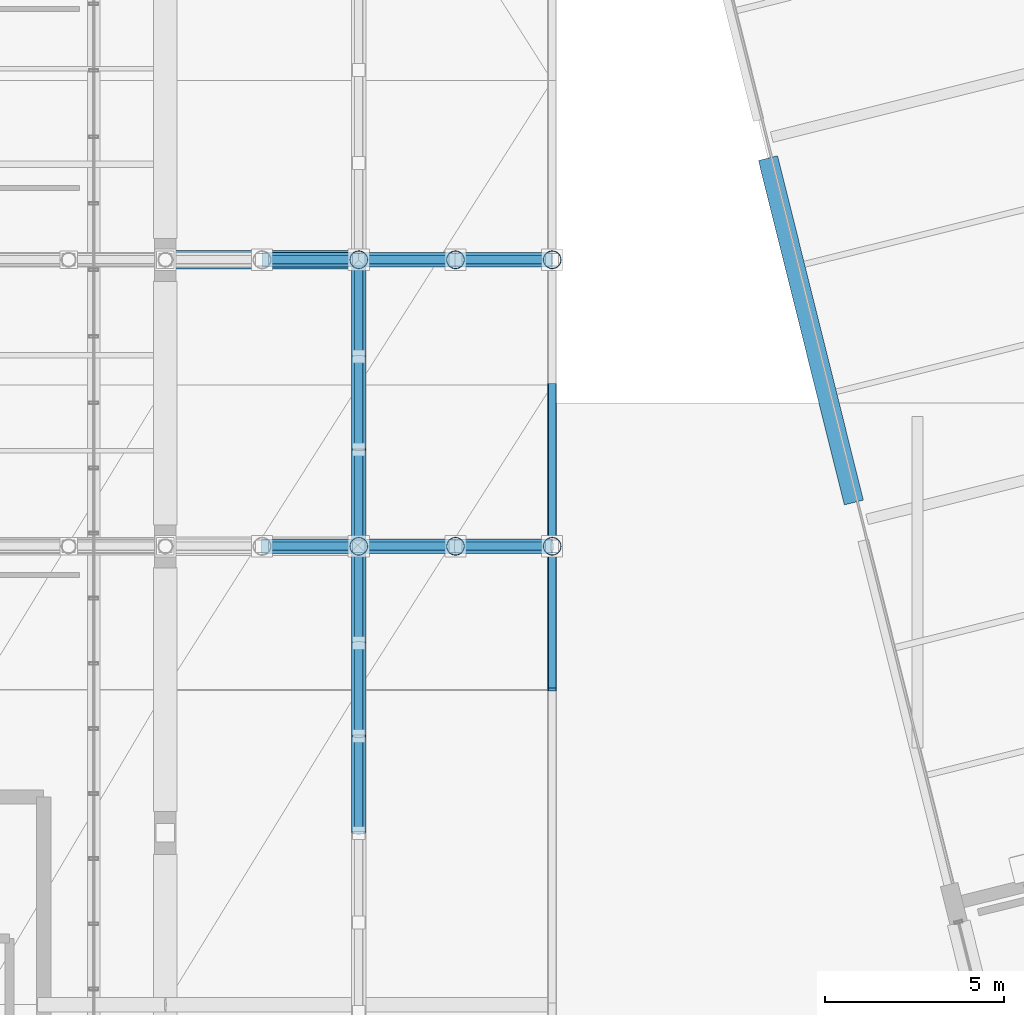
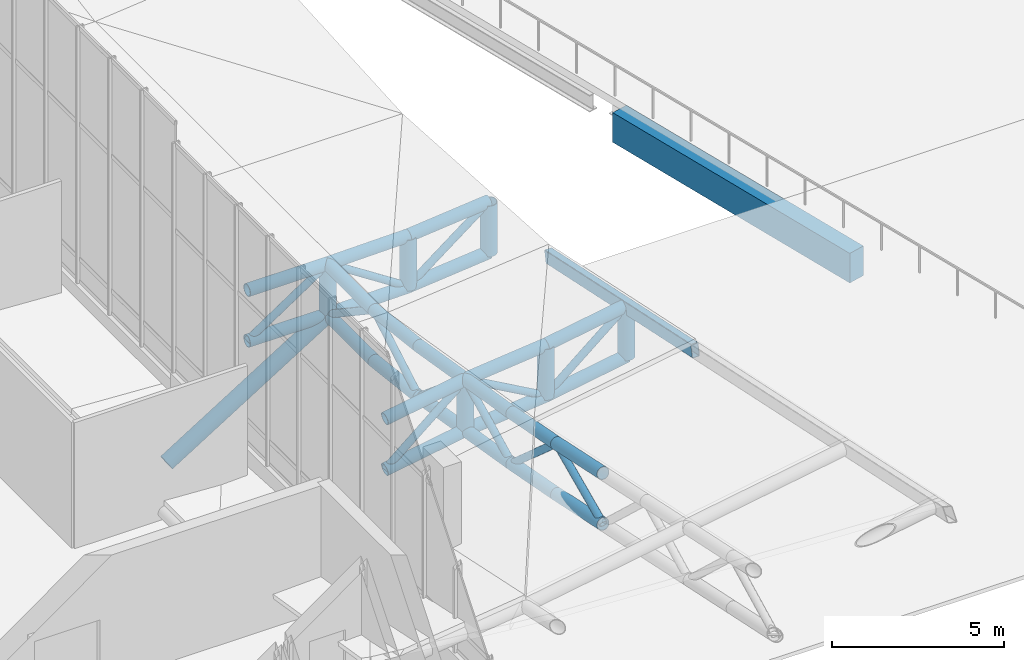
# One storey, part 67 of 137: 43 members, 2 beams.
"""IFC4 building model written with IfcOpenShell, lengths in metres."""

from ifc_helpers import new_model, si_unit, direction, frame, origin, origin_2d, place, context, subcontext, project, spatial, rectangle, hollow_rectangle, hollow_circle, extrude, material, material_profile, profile_set, type_object, element, save


model = new_model("IFC4")

# Units and contexts
model_context = context("Model", 3, precision=1e-05, world=origin(), true_north=direction((0.0, 1.0)))
body_context = subcontext(model_context, "Body", "Model", "MODEL_VIEW")
ifc_project = project(units=[si_unit("LENGTHUNIT", "METRE"), si_unit("AREAUNIT", "SQUARE_METRE"), si_unit("VOLUMEUNIT", "CUBIC_METRE"), si_unit("PLANEANGLEUNIT", "RADIAN"), si_unit("MASSUNIT", "GRAM", prefix="KILO")], contexts=[model_context])

# Site, building, storey
site_placement = place(None, origin())
site = spatial("IfcSite", under=ifc_project, at=site_placement, CompositionType="ELEMENT")
building_placement = place(site_placement, origin())
building = spatial("IfcBuilding", under=site, at=building_placement, Name="Khorjan Park Terminus", CompositionType="ELEMENT")
storey_placement = place(building_placement, frame((0.0, 0.0, 11.4)))
storey = spatial("IfcBuildingStorey", under=building, at=storey_placement, Name="L02", CompositionType="ELEMENT", Elevation=11.4)

# Beam
ifc_material_1 = material(Name="Concrete C40/50", Category="concrete")
ifc_material_profile_1 = material_profile(ifc_material_1, rectangle(XDim=0.55, YDim=1.05, at=origin_2d()), Name="RC 550x1050")
ifc_profile_set_1 = profile_set([ifc_material_profile_1], Name="Concrete C40/50")
beam_type_1 = type_object("IfcBeamType", Name="BM-RC550x1050", PredefinedType="BEAM", material=ifc_profile_set_1)
beam_1_placement = place(storey_placement, frame((155.2236, 45.2218, -0.795), z_axis=(-0.241925384349, 0.970294856426, 0.0), x_axis=(-0.970294856426, -0.241925384349, 0.0)))
element("IfcBeam", 1, at=beam_1_placement, inside=storey, type_object=beam_type_1, Name="Primary skew-grid floor girder GB-105 (L02)", PredefinedType="BEAM", context=body_context, shape_type="SweptSolid", body=[
    extrude(rectangle(XDim=0.55, YDim=1.05, at=origin_2d()), origin(), (0.0, 0.0, 1.0), 9.9101),
])

# Members
ifc_material_2 = material(Name="Steel S355", Category="steel")
ifc_material_profile_2 = material_profile(ifc_material_2, hollow_circle(Radius=0.1222, WallThickness=0.0125, at=origin_2d()), Name="CHS 244.5x12.5")
ifc_profile_set_2 = profile_set([ifc_material_profile_2], Name="Steel S355")
member_type_1 = type_object("IfcMemberType", Name="MB-BRE-245", PredefinedType="BRACE", material=ifc_profile_set_2)
member_1_placement = place(storey_placement, frame((138.7, 44.0, -1.5347), z_axis=(0.767102290967, 0.0, 0.641524804816), x_axis=(0.0, 1.0, 0.0)))
element("IfcMember", 2, at=member_1_placement, inside=storey, type_object=member_type_1, Name="Lower shell W/E truss diagonal (E1)", PredefinedType="BRACE", context=body_context, shape_type="SweptSolid", body=[
    extrude(hollow_circle(Radius=0.1222, WallThickness=0.0125, at=origin_2d()), origin(), (0.0, 0.0, 1.0), 3.5197),
])
member_2_placement = place(storey_placement, frame((141.4, 44.0, 0.7233), z_axis=(0.870947672759, 0.0, -0.491375774042), x_axis=(0.0, 1.0, 0.0)))
element("IfcMember", 3, at=member_2_placement, inside=storey, type_object=member_type_1, Name="Lower shell W/E truss diagonal (E1)", PredefinedType="BRACE", context=body_context, shape_type="SweptSolid", body=[
    extrude(hollow_circle(Radius=0.1222, WallThickness=0.0125, at=origin_2d()), origin(), (0.0, 0.0, 1.0), 3.1001),
])
member_3_placement = place(storey_placement, frame((144.1, 44.0, -0.8), z_axis=(0.767102290967, 0.0, 0.641524804816), x_axis=(0.0, 1.0, 0.0)))
element("IfcMember", 4, at=member_3_placement, inside=storey, type_object=member_type_1, Name="Lower shell W/E truss diagonal (E1)", PredefinedType="BRACE", context=body_context, shape_type="SweptSolid", body=[
    extrude(hollow_circle(Radius=0.1222, WallThickness=0.0125, at=origin_2d()), origin(), (0.0, 0.0, 1.0), 3.5197),
])
member_4_placement = place(storey_placement, frame((138.7, 52.0, -1.828), z_axis=(0.832050294338, 0.0, 0.554700196225), x_axis=(0.0, 1.0, 0.0)))
element("IfcMember", 5, at=member_4_placement, inside=storey, type_object=member_type_1, Name="Lower shell W/E truss diagonal (E2)", PredefinedType="BRACE", context=body_context, shape_type="SweptSolid", body=[
    extrude(hollow_circle(Radius=0.1222, WallThickness=0.0125, at=origin_2d()), origin(), (0.0, 0.0, 1.0), 3.245),
])
member_5_placement = place(storey_placement, frame((141.4, 52.0, -0.028), z_axis=(0.838699015372, 0.0, -0.544595227315), x_axis=(0.0, 1.0, 0.0)))
element("IfcMember", 6, at=member_5_placement, inside=storey, type_object=member_type_1, Name="Lower shell W/E truss diagonal (E2)", PredefinedType="BRACE", context=body_context, shape_type="SweptSolid", body=[
    extrude(hollow_circle(Radius=0.1222, WallThickness=0.0125, at=origin_2d()), origin(), (0.0, 0.0, 1.0), 3.2193),
])
member_6_placement = place(storey_placement, frame((144.1, 52.0, -1.7812), z_axis=(0.79425929481, 0.0, 0.607578943519), x_axis=(0.0, 1.0, 0.0)))
element("IfcMember", 7, at=member_6_placement, inside=storey, type_object=member_type_1, Name="Lower shell W/E truss diagonal (E2)", PredefinedType="BRACE", context=body_context, shape_type="SweptSolid", body=[
    extrude(hollow_circle(Radius=0.1222, WallThickness=0.0125, at=origin_2d()), origin(), (0.0, 0.0, 1.0), 3.3994),
])
member_7_placement = place(storey_placement, frame((141.4, 36.0, 0.4403), z_axis=(0.0, 0.910426516303, 0.413670833408), x_axis=(-1.0, 0.0, 0.0)))
element("IfcMember", 8, at=member_7_placement, inside=storey, type_object=member_type_1, Name="Lower shell mid-ring diagonal (E9)", PredefinedType="BRACE", context=body_context, shape_type="SweptSolid", body=[
    extrude(hollow_circle(Radius=0.1222, WallThickness=0.0125, at=origin_2d()), origin(), (0.0, 0.0, 1.0), 2.9656),
])
member_8_placement = place(storey_placement, frame((141.4, 38.7, 1.6671), z_axis=(0.0, 0.749997777608, -0.661440347713), x_axis=(-1.0, 0.0, 0.0)))
element("IfcMember", 9, at=member_8_placement, inside=storey, type_object=member_type_1, Name="Lower shell mid-ring diagonal (E10)", PredefinedType="BRACE", context=body_context, shape_type="SweptSolid", body=[
    extrude(hollow_circle(Radius=0.1222, WallThickness=0.0125, at=origin_2d()), origin(), (0.0, 0.0, 1.0), 3.4667),
])
member_9_placement = place(storey_placement, frame((141.4, 41.3, -0.6259), z_axis=(0.0, 0.894533184614, 0.447001545438), x_axis=(-1.0, 0.0, 0.0)))
element("IfcMember", 10, at=member_9_placement, inside=storey, type_object=member_type_1, Name="Lower shell mid-ring diagonal (E11)", PredefinedType="BRACE", context=body_context, shape_type="SweptSolid", body=[
    extrude(hollow_circle(Radius=0.1222, WallThickness=0.0125, at=origin_2d()), origin(), (0.0, 0.0, 1.0), 3.0183),
])
member_10_placement = place(storey_placement, frame((141.4, 44.0, 0.7233), z_axis=(0.0, 0.768109339355, -0.640318704081), x_axis=(-1.0, 0.0, 0.0)))
element("IfcMember", 11, at=member_10_placement, inside=storey, type_object=member_type_1, Name="Lower shell mid-ring diagonal (E12)", PredefinedType="BRACE", context=body_context, shape_type="SweptSolid", body=[
    extrude(hollow_circle(Radius=0.1222, WallThickness=0.0125, at=origin_2d()), origin(), (0.0, 0.0, 1.0), 3.5151),
])
member_11_placement = place(storey_placement, frame((141.4, 46.7, -1.5275), z_axis=(0.0, 0.866257685051, 0.499597461052), x_axis=(-1.0, 0.0, 0.0)))
element("IfcMember", 12, at=member_11_placement, inside=storey, type_object=member_type_1, Name="Lower shell mid-ring diagonal (E13)", PredefinedType="BRACE", context=body_context, shape_type="SweptSolid", body=[
    extrude(hollow_circle(Radius=0.1222, WallThickness=0.0125, at=origin_2d()), origin(), (0.0, 0.0, 1.0), 3.0014),
])
member_12_placement = place(storey_placement, frame((141.4, 49.3, -0.028), z_axis=(0.0, 0.832050294338, -0.554700196225), x_axis=(-1.0, 0.0, 0.0)))
element("IfcMember", 13, at=member_12_placement, inside=storey, type_object=member_type_1, Name="Lower shell mid-ring diagonal (E14)", PredefinedType="BRACE", context=body_context, shape_type="SweptSolid", body=[
    extrude(hollow_circle(Radius=0.1222, WallThickness=0.0125, at=origin_2d()), origin(), (0.0, 0.0, 1.0), 3.245),
])
ifc_material_profile_3 = material_profile(ifc_material_2, hollow_circle(Radius=0.2032, WallThickness=0.016, at=origin_2d()), Name="CHS 406.4x16")
ifc_profile_set_3 = profile_set([ifc_material_profile_3], Name="Steel S355")
member_type_2 = type_object("IfcMemberType", Name="MB-CHE-406", PredefinedType="CHORD", material=ifc_profile_set_3)
for number, where, z_axis, x_axis, name in (
    (14, (138.7, 44.0, 0.2653), (0.985916115378, 0.0, 0.167240585497), (0.0, 1.0, 0.0), "Lower shell W/E truss top chord (E1)"),
    (15, (138.7, 44.0, -1.5347), (0.985916115378, 0.0, 0.167240585497), (0.0, 1.0, 0.0), "Lower shell W/E truss bottom chord (E1)"),
):
    element("IfcMember", number, at=place(storey_placement, frame(where, z_axis=z_axis, x_axis=x_axis)), inside=storey, type_object=member_type_2, Name=name, PredefinedType="CHORD", context=body_context, shape_type="SweptSolid", body=[
        extrude(hollow_circle(Radius=0.2032, WallThickness=0.016, at=origin_2d()), origin(), (0.0, 0.0, 1.0), 2.7386),
    ])
for number, where, z_axis, x_axis, name in (
    (16, (141.4, 44.0, 0.7233), (0.994789777339, 0.0, 0.101947530144), (0.0, 1.0, 0.0), "Lower shell W/E truss top chord (E1)"),
    (17, (141.4, 44.0, -1.0767), (0.994789777339, 0.0, 0.101947530144), (0.0, 1.0, 0.0), "Lower shell W/E truss bottom chord (E1)"),
):
    element("IfcMember", number, at=place(storey_placement, frame(where, z_axis=z_axis, x_axis=x_axis)), inside=storey, type_object=member_type_2, Name=name, PredefinedType="CHORD", context=body_context, shape_type="SweptSolid", body=[
        extrude(hollow_circle(Radius=0.2032, WallThickness=0.016, at=origin_2d()), origin(), (0.0, 0.0, 1.0), 2.7141),
    ])
for number, where, z_axis, x_axis, name in (
    (18, (144.1, 44.0, 1.0), (0.985916115378, 0.0, 0.167240585497), (0.0, 1.0, 0.0), "Lower shell W/E truss top chord (E1)"),
    (19, (144.1, 44.0, -0.8), (0.985916115378, 0.0, 0.167240585497), (0.0, 1.0, 0.0), "Lower shell W/E truss bottom chord (E1)"),
):
    element("IfcMember", number, at=place(storey_placement, frame(where, z_axis=z_axis, x_axis=x_axis)), inside=storey, type_object=member_type_2, Name=name, PredefinedType="CHORD", context=body_context, shape_type="SweptSolid", body=[
        extrude(hollow_circle(Radius=0.2032, WallThickness=0.016, at=origin_2d()), origin(), (0.0, 0.0, 1.0), 2.7386),
    ])
for number, where, z_axis, x_axis, name in (
    (20, (138.7, 52.0, -0.028), (1.0, 0.0, 0.0), (0.0, 1.0, 0.0), "Lower shell W/E truss top chord (E2)"),
    (21, (138.7, 52.0, -1.828), (1.0, 0.0, 0.0), (0.0, 1.0, 0.0), "Lower shell W/E truss bottom chord (E2)"),
):
    element("IfcMember", number, at=place(storey_placement, frame(where, z_axis=z_axis, x_axis=x_axis)), inside=storey, type_object=member_type_2, Name=name, PredefinedType="CHORD", context=body_context, shape_type="SweptSolid", body=[
        extrude(hollow_circle(Radius=0.2032, WallThickness=0.016, at=origin_2d()), origin(), (0.0, 0.0, 1.0), 2.7),
    ])
for number, where, z_axis, x_axis, name in (
    (22, (141.4, 52.0, -0.028), (0.999849811619, 0.0, 0.017330730068), (0.0, 1.0, 0.0), "Lower shell W/E truss top chord (E2)"),
    (23, (141.4, 52.0, -1.828), (0.999849811619, 0.0, 0.017330730068), (0.0, 1.0, 0.0), "Lower shell W/E truss bottom chord (E2)"),
):
    element("IfcMember", number, at=place(storey_placement, frame(where, z_axis=z_axis, x_axis=x_axis)), inside=storey, type_object=member_type_2, Name=name, PredefinedType="CHORD", context=body_context, shape_type="SweptSolid", body=[
        extrude(hollow_circle(Radius=0.2032, WallThickness=0.016, at=origin_2d()), origin(), (0.0, 0.0, 1.0), 2.7004),
    ])
for number, where, z_axis, x_axis, name in (
    (24, (144.1, 52.0, 0.0188), (0.995203648559, 0.0, 0.097824832714), (0.0, 1.0, 0.0), "Lower shell W/E truss top chord (E2)"),
    (25, (144.1, 52.0, -1.7812), (0.995203648559, 0.0, 0.097824832714), (0.0, 1.0, 0.0), "Lower shell W/E truss bottom chord (E2)"),
):
    element("IfcMember", number, at=place(storey_placement, frame(where, z_axis=z_axis, x_axis=x_axis)), inside=storey, type_object=member_type_2, Name=name, PredefinedType="CHORD", context=body_context, shape_type="SweptSolid", body=[
        extrude(hollow_circle(Radius=0.2032, WallThickness=0.016, at=origin_2d()), origin(), (0.0, 0.0, 1.0), 2.713),
    ])
for number, where, z_axis, x_axis, name in (
    (26, (141.4, 36.0, 2.2403), (0.0, 0.978199346233, -0.207668098245), (-1.0, 0.0, 0.0), "Lower shell mid-ring top chord (E9)"),
    (27, (141.4, 36.0, 0.4403), (0.0, 0.978199346233, -0.207668098245), (-1.0, 0.0, 0.0), "Lower shell mid-ring bottom chord (E9)"),
):
    element("IfcMember", number, at=place(storey_placement, frame(where, z_axis=z_axis, x_axis=x_axis)), inside=storey, type_object=member_type_2, Name=name, PredefinedType="CHORD", context=body_context, shape_type="SweptSolid", body=[
        extrude(hollow_circle(Radius=0.2032, WallThickness=0.016, at=origin_2d()), origin(), (0.0, 0.0, 1.0), 2.7602),
    ])
for number, where, z_axis, x_axis, name in (
    (28, (141.4, 38.7, 1.6671), (0.0, 0.982493680031, -0.186295917021), (-1.0, 0.0, 0.0), "Lower shell mid-ring top chord (E10)"),
    (29, (141.4, 38.7, -0.1329), (0.0, 0.982493680031, -0.186295917021), (-1.0, 0.0, 0.0), "Lower shell mid-ring bottom chord (E10)"),
):
    element("IfcMember", number, at=place(storey_placement, frame(where, z_axis=z_axis, x_axis=x_axis)), inside=storey, type_object=member_type_2, Name=name, PredefinedType="CHORD", context=body_context, shape_type="SweptSolid", body=[
        extrude(hollow_circle(Radius=0.2032, WallThickness=0.016, at=origin_2d()), origin(), (0.0, 0.0, 1.0), 2.6463),
    ])
for number, where, z_axis, x_axis, name in (
    (30, (141.4, 41.3, 1.1741), (0.0, 0.986346490823, -0.164683332616), (-1.0, 0.0, 0.0), "Lower shell mid-ring top chord (E11)"),
    (31, (141.4, 41.3, -0.6259), (0.0, 0.986346490823, -0.164683332616), (-1.0, 0.0, 0.0), "Lower shell mid-ring bottom chord (E11)"),
    (32, (141.4, 44.0, 0.7233), (0.0, 0.986346490823, -0.164683332616), (-1.0, 0.0, 0.0), "Lower shell mid-ring top chord (E12)"),
    (33, (141.4, 44.0, -1.0767), (0.0, 0.986346490823, -0.164683332616), (-1.0, 0.0, 0.0), "Lower shell mid-ring bottom chord (E12)"),
):
    element("IfcMember", number, at=place(storey_placement, frame(where, z_axis=z_axis, x_axis=x_axis)), inside=storey, type_object=member_type_2, Name=name, PredefinedType="CHORD", context=body_context, shape_type="SweptSolid", body=[
        extrude(hollow_circle(Radius=0.2032, WallThickness=0.016, at=origin_2d()), origin(), (0.0, 0.0, 1.0), 2.7374),
    ])
for number, where, z_axis, x_axis, name in (
    (34, (141.4, 46.7, 0.2725), (0.0, 0.993387164979, -0.114812631952), (-1.0, 0.0, 0.0), "Lower shell mid-ring top chord (E13)"),
    (35, (141.4, 46.7, -1.5275), (0.0, 0.993387164979, -0.114812631952), (-1.0, 0.0, 0.0), "Lower shell mid-ring bottom chord (E13)"),
):
    element("IfcMember", number, at=place(storey_placement, frame(where, z_axis=z_axis, x_axis=x_axis)), inside=storey, type_object=member_type_2, Name=name, PredefinedType="CHORD", context=body_context, shape_type="SweptSolid", body=[
        extrude(hollow_circle(Radius=0.2032, WallThickness=0.016, at=origin_2d()), origin(), (0.0, 0.0, 1.0), 2.6173),
    ])
for number, where, z_axis, x_axis, name in (
    (36, (141.4, 49.3, -0.028), (0.0, 1.0, 0.0), (-1.0, 0.0, 0.0), "Lower shell mid-ring top chord (E14)"),
    (37, (141.4, 49.3, -1.828), (0.0, 1.0, 0.0), (-1.0, 0.0, 0.0), "Lower shell mid-ring bottom chord (E14)"),
):
    element("IfcMember", number, at=place(storey_placement, frame(where, z_axis=z_axis, x_axis=x_axis)), inside=storey, type_object=member_type_2, Name=name, PredefinedType="CHORD", context=body_context, shape_type="SweptSolid", body=[
        extrude(hollow_circle(Radius=0.2032, WallThickness=0.016, at=origin_2d()), origin(), (0.0, 0.0, 1.0), 2.7),
    ])
ifc_material_profile_4 = material_profile(ifc_material_2, hollow_circle(Radius=0.254, WallThickness=0.02, at=origin_2d()), Name="CHS 508x20")
ifc_profile_set_4 = profile_set([ifc_material_profile_4], Name="Steel S355")
member_type_3 = type_object("IfcMemberType", Name="MB-STE-508", PredefinedType="STRUT", material=ifc_profile_set_4)
for number, where, z_axis, x_axis, name in (
    (38, (141.4, 44.0, -1.0767), (0.0, 0.0, 1.0), (1.0, 0.0, 0.0), "Lower shell W/E truss post (E1)"),
    (39, (144.1, 44.0, -0.8), (0.0, 0.0, 1.0), (1.0, 0.0, 0.0), "Lower shell W/E truss post (E1)"),
    (40, (146.8, 44.0, -0.342), (0.0, 0.0, 1.0), (1.0, 0.0, 0.0), "Lower shell W/E truss post (E1)"),
    (41, (141.4, 52.0, -1.828), (0.0, 0.0, 1.0), (1.0, 0.0, 0.0), "Lower shell W/E truss post (E2)"),
    (42, (144.1, 52.0, -1.7812), (0.0, 0.0, 1.0), (1.0, 0.0, 0.0), "Lower shell W/E truss post (E2)"),
    (43, (146.8, 52.0, -1.5158), (0.0, 0.0, 1.0), (1.0, 0.0, 0.0), "Lower shell W/E truss post (E2)"),
):
    element("IfcMember", number, at=place(storey_placement, frame(where, z_axis=z_axis, x_axis=x_axis)), inside=storey, type_object=member_type_3, Name=name, PredefinedType="STRUT", context=body_context, shape_type="SweptSolid", body=[
        extrude(hollow_circle(Radius=0.254, WallThickness=0.02, at=origin_2d()), origin(), (0.0, 0.0, 1.0), 1.8),
    ])
member_13_placement = place(storey_placement, frame((136.0, 52.0, -5.2), z_axis=(0.848210024072, 0.0, 0.529660037254), x_axis=(0.0, 1.0, 0.0)))
element("IfcMember", 44, at=member_13_placement, inside=storey, type_object=member_type_3, Name="Lower shell W/E raked V-strut STE-51 (E2)", PredefinedType="STRUT", context=body_context, shape_type="SweptSolid", body=[
    extrude(hollow_circle(Radius=0.254, WallThickness=0.02, at=origin_2d()), origin(), (0.0, 0.0, 1.0), 6.3663),
])

# Beam
ifc_material_profile_5 = material_profile(ifc_material_2, hollow_rectangle(XDim=0.25, YDim=0.45, WallThickness=0.016, InnerFilletRadius=0.016, OuterFilletRadius=0.032, at=origin_2d()), Name="RHS 450x250x16")
ifc_profile_set_5 = profile_set([ifc_material_profile_5], Name="Steel S355")
beam_type_2 = type_object("IfcBeamType", Name="SP-RHS450", PredefinedType="SPANDREL", material=ifc_profile_set_5)
beam_2_placement = place(storey_placement, frame((146.8, 40.0, 2.2852), z_axis=(0.0, 0.978199779156, -0.207666058998), x_axis=(-1.0, 0.0, 0.0)))
element("IfcBeam", 45, at=beam_2_placement, inside=storey, type_object=beam_type_2, Name="Lower wrapping shell upturned edge beam SP-R45 (49)", PredefinedType="SPANDREL", context=body_context, shape_type="SweptSolid", body=[
    extrude(hollow_rectangle(XDim=0.25, YDim=0.45, WallThickness=0.016, InnerFilletRadius=0.016, OuterFilletRadius=0.032, at=origin_2d()), origin(), (0.0, 0.0, 1.0), 8.6894),
])

save(model, "model.ifc")
